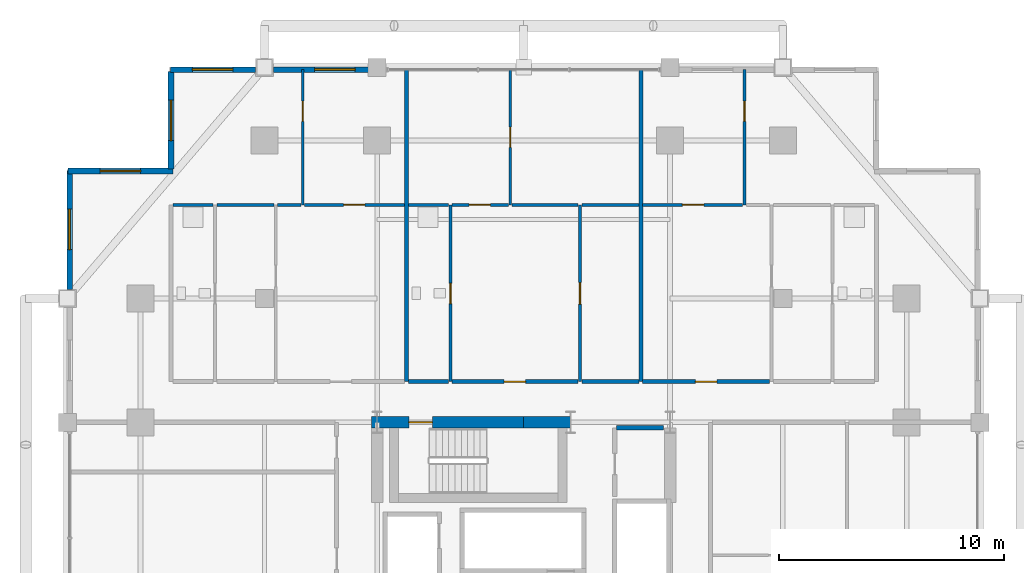
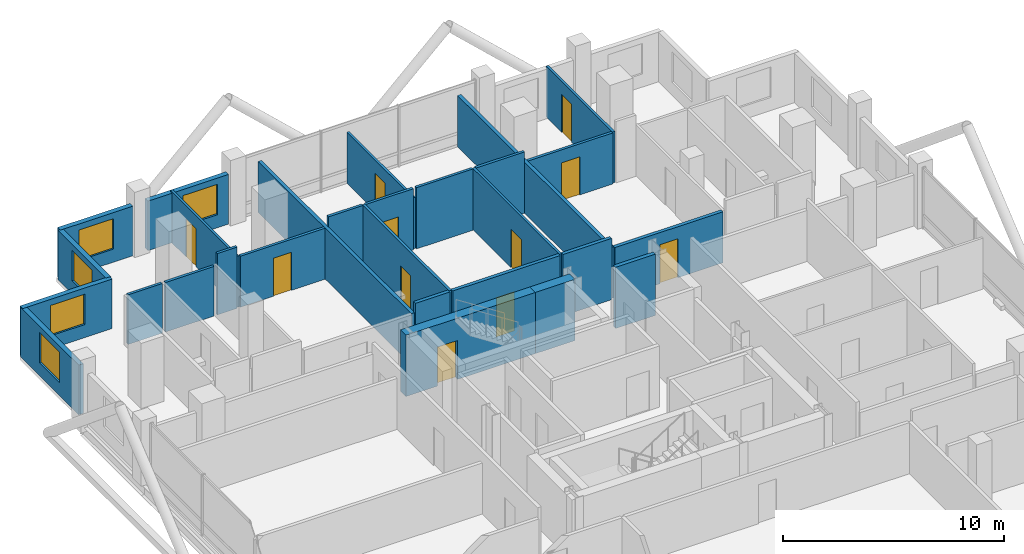
# One storey, part 21 of 24: 28 walls, 11 doors, 5 windows, 16 openings.
"""IFC4 building model written with IfcOpenShell, lengths in metres."""

from ifc_helpers import new_model, si_unit, direction, frame, frame_2d, origin, place, context, subcontext, project, spatial, rectangle, extrude, material, layer, layer_set, type_object, element, fill, save


model = new_model("IFC4")

# Units and contexts
model_context = context("Model", 3, precision=1e-05, world=origin(), true_north=direction((0.0, 1.0)))
body_context = subcontext(model_context, "Body", "Model", "MODEL_VIEW")
ifc_project = project(units=[si_unit("LENGTHUNIT", "METRE"), si_unit("AREAUNIT", "SQUARE_METRE"), si_unit("VOLUMEUNIT", "CUBIC_METRE"), si_unit("PLANEANGLEUNIT", "RADIAN"), si_unit("MASSUNIT", "GRAM", prefix="KILO")], contexts=[model_context])

# Site, building, storey
site_placement = place(None, origin())
site = spatial("IfcSite", under=ifc_project, at=site_placement, CompositionType="ELEMENT")
building_placement = place(site_placement, origin())
building = spatial("IfcBuilding", under=site, at=building_placement, Name="Barlavira Tower and Art Museum", CompositionType="ELEMENT")
storey_placement = place(building_placement, frame((0.0, 0.0, 109.800048828125)))
storey = spatial("IfcBuildingStorey", under=building, at=storey_placement, Name="L27", CompositionType="ELEMENT", Elevation=109.800048828125)

# Wall, opening, door
ifc_material_1 = material(Name="Gypsum acoustic stud partition", Category="gypsum")
ifc_layer_1 = layer(ifc_material_1, 0.1201171875, Name="Gypsum acoustic stud partition")
ifc_layer_set_1 = layer_set([ifc_layer_1], Name="Gypsum acoustic stud partition")
wall_type_1 = type_object("IfcWallType", Name="Apartment Internal Acoustic Partition 120", PredefinedType="PARTITIONING", material=ifc_layer_set_1)
wall_1_placement = place(storey_placement, frame((-9.800048828125, 17.14990234375, 0.0), z_axis=(0.0, 0.0, 1.0), x_axis=(0.0, 1.0, 0.0)))
wall_1 = element("IfcWall", 1, at=wall_1_placement, inside=storey, type_object=wall_type_1, Name="L27 Partition Wall 4", PredefinedType="PARTITIONING", context=body_context, shape_type="SweptSolid", body=[
    extrude(rectangle(XDim=6.0, YDim=0.1201171875, at=frame_2d((3.0, 0.0))), origin(), (0.0, 0.0, 1.0), 2.81591796875),
])
opening_1_placement = place(wall_1_placement, frame((3.701171875, 0.0, 0.0)))
opening_1 = element("IfcOpeningElement", 2, at=opening_1_placement, cuts=wall_1, Name="Opening D-01", PredefinedType="OPENING", context=body_context, shape_type="SweptSolid", body=[
    extrude(rectangle(XDim=0.89990234375, YDim=2.10009765625, at=frame_2d((0.449951171875, 1.050048828125))), frame((0.0, 0.070068359375, 0.0), z_axis=(0.0, -1.0, 0.0), x_axis=(1.0, 0.0, 0.0)), (0.0, 0.0, 1.0), 0.14013671875),
])
ifc_material_2 = material(Name="Engineered coastal hardwood", Category="wood")
door_type_1 = type_object("IfcDoorType", Name="Internal Bedroom Timber Flush Door 900x2100", OperationType="NOTDEFINED", PredefinedType="DOOR", material=ifc_material_2)
door_1_placement = place(opening_1_placement, origin())
door_1 = element("IfcDoor", 3, at=door_1_placement, inside=storey, type_object=door_type_1, Name="Apartment N1 Bedroom 1 Door", OperationType="SINGLE_SWING_LEFT", OverallHeight=2.10009765625, OverallWidth=0.89990234375, PredefinedType="DOOR", context=body_context, shape_type="SweptSolid", body=[
    extrude(rectangle(XDim=0.89990234375, YDim=2.10009765625, at=frame_2d((0.449951171875, 1.050048828125))), frame((0.0, 0.02490234375, 0.0), z_axis=(0.0, -1.0, 0.0), x_axis=(1.0, 0.0, 0.0)), (0.0, 0.0, 1.0), 0.050048828125),
])
fill(opening_1, door_1)

wall_2_placement = place(storey_placement, frame((-0.60009765625, 17.14990234375, 0.0), z_axis=(0.0, 0.0, 1.0), x_axis=(0.0, 1.0, 0.0)))
wall_2 = element("IfcWall", 4, at=wall_2_placement, inside=storey, type_object=wall_type_1, Name="L27 Partition Wall 9", PredefinedType="PARTITIONING", context=body_context, shape_type="SweptSolid", body=[
    extrude(rectangle(XDim=6.0, YDim=0.1201171875, at=frame_2d((3.0, 0.0))), origin(), (0.0, 0.0, 1.0), 2.81591796875),
])
opening_2_placement = place(wall_2_placement, frame((2.550048828125, 0.0, 0.0)))
opening_2 = element("IfcOpeningElement", 5, at=opening_2_placement, cuts=wall_2, Name="Opening D-01", PredefinedType="OPENING", context=body_context, shape_type="SweptSolid", body=[
    extrude(rectangle(XDim=0.89990234375, YDim=2.10009765625, at=frame_2d((0.449951171875, 1.050048828125))), frame((0.0, 0.070068359375, 0.0), z_axis=(0.0, -1.0, 0.0), x_axis=(1.0, 0.0, 0.0)), (0.0, 0.0, 1.0), 0.14013671875),
])
door_2_placement = place(opening_2_placement, origin())
door_2 = element("IfcDoor", 6, at=door_2_placement, inside=storey, type_object=door_type_1, Name="Apartment N2 Bedroom 1 Door", OperationType="SINGLE_SWING_RIGHT", OverallHeight=2.10009765625, OverallWidth=0.89990234375, PredefinedType="DOOR", context=body_context, shape_type="SweptSolid", body=[
    extrude(rectangle(XDim=0.89990234375, YDim=2.10009765625, at=frame_2d((0.449951171875, 1.050048828125))), frame((0.0, 0.02490234375, 0.0), z_axis=(0.0, -1.0, 0.0), x_axis=(1.0, 0.0, 0.0)), (0.0, 0.0, 1.0), 0.050048828125),
])
fill(opening_2, door_2)

wall_3_placement = place(storey_placement, frame((2.5, 9.300048828125, 0.0), z_axis=(0.0, 0.0, 1.0), x_axis=(0.0, 1.0, 0.0)))
wall_3 = element("IfcWall", 7, at=wall_3_placement, inside=storey, type_object=wall_type_1, Name="L27 Partition Wall 10", PredefinedType="PARTITIONING", context=body_context, shape_type="SweptSolid", body=[
    extrude(rectangle(XDim=7.849853515625, YDim=0.1201171875, at=frame_2d((3.9248046875, 0.0))), origin(), (0.0, 0.0, 1.0), 3.3798828125),
])
opening_3_placement = place(wall_3_placement, frame((3.445068359375, 0.0, 0.0)))
opening_3 = element("IfcOpeningElement", 8, at=opening_3_placement, cuts=wall_3, Name="Opening D-02", PredefinedType="OPENING", context=body_context, shape_type="SweptSolid", body=[
    extrude(rectangle(XDim=0.949951171875, YDim=2.10009765625, at=frame_2d((0.47509765625, 1.050048828125))), frame((0.0, 0.070068359375, 0.0), z_axis=(0.0, -1.0, 0.0), x_axis=(1.0, 0.0, 0.0)), (0.0, 0.0, 1.0), 0.14013671875),
])
door_type_2 = type_object("IfcDoorType", Name="Living and Salon Glazed-Leaf Door 950x2100", OperationType="NOTDEFINED", PredefinedType="DOOR", material=ifc_material_2)
door_3_placement = place(opening_3_placement, origin())
door_3 = element("IfcDoor", 9, at=door_3_placement, inside=storey, type_object=door_type_2, Name="Apartment N2 Kitchen Door", OperationType="SINGLE_SWING_RIGHT", OverallHeight=2.10009765625, OverallWidth=0.949951171875, PredefinedType="DOOR", context=body_context, shape_type="SweptSolid", body=[
    extrude(rectangle(XDim=0.949951171875, YDim=2.10009765625, at=frame_2d((0.47509765625, 1.050048828125))), frame((0.0, 0.02490234375, 0.0), z_axis=(0.0, -1.0, 0.0), x_axis=(1.0, 0.0, 0.0)), (0.0, 0.0, 1.0), 0.050048828125),
])
fill(opening_3, door_3)

wall_4_placement = place(storey_placement, frame((9.800048828125, 17.14990234375, 0.0), z_axis=(0.0, 0.0, 1.0), x_axis=(0.0, 1.0, 0.0)))
wall_4 = element("IfcWall", 10, at=wall_4_placement, inside=storey, type_object=wall_type_1, Name="L27 Partition Wall 14", PredefinedType="PARTITIONING", context=body_context, shape_type="SweptSolid", body=[
    extrude(rectangle(XDim=6.0, YDim=0.1201171875, at=frame_2d((3.0, 0.0))), origin(), (0.0, 0.0, 1.0), 2.81591796875),
])
opening_4_placement = place(wall_4_placement, frame((3.701171875, 0.0, 0.0)))
opening_4 = element("IfcOpeningElement", 11, at=opening_4_placement, cuts=wall_4, Name="Opening D-01", PredefinedType="OPENING", context=body_context, shape_type="SweptSolid", body=[
    extrude(rectangle(XDim=0.89990234375, YDim=2.10009765625, at=frame_2d((0.449951171875, 1.050048828125))), frame((0.0, 0.070068359375, 0.0), z_axis=(0.0, -1.0, 0.0), x_axis=(1.0, 0.0, 0.0)), (0.0, 0.0, 1.0), 0.14013671875),
])
door_4_placement = place(opening_4_placement, origin())
door_4 = element("IfcDoor", 12, at=door_4_placement, inside=storey, type_object=door_type_1, Name="Apartment N3 Bedroom 1 Door", OperationType="SINGLE_SWING_LEFT", OverallHeight=2.10009765625, OverallWidth=0.89990234375, PredefinedType="DOOR", context=body_context, shape_type="SweptSolid", body=[
    extrude(rectangle(XDim=0.89990234375, YDim=2.10009765625, at=frame_2d((0.449951171875, 1.050048828125))), frame((0.0, 0.02490234375, 0.0), z_axis=(0.0, -1.0, 0.0), x_axis=(1.0, 0.0, 0.0)), (0.0, 0.0, 1.0), 0.050048828125),
])
fill(opening_4, door_4)

ifc_material_3 = material(Name="Concrete C60", Category="concrete")
ifc_layer_2 = layer(ifc_material_3, 0.5, Name="Concrete C60")
ifc_layer_set_2 = layer_set([ifc_layer_2], Name="Concrete C60")
wall_type_2 = type_object("IfcWallType", Name="Core Structural Shear Wall 500 Concrete C60", PredefinedType="SHEAR", material=ifc_layer_set_2)
wall_5_placement = place(storey_placement, frame((-6.75, 7.5, 0.0), z_axis=(0.0, 0.0, 1.0), x_axis=(1.0, 0.0, 0.0)))
wall_5 = element("IfcWall", 13, at=wall_5_placement, inside=storey, type_object=wall_type_2, Name="L27 Core Shear Wall CS-NW", PredefinedType="SHEAR", context=body_context, shape_type="SweptSolid", body=[
    extrude(rectangle(XDim=6.75, YDim=0.5, at=frame_2d((3.375, 0.0))), origin(), (0.0, 0.0, 1.0), 3.3798828125),
])
opening_5_placement = place(wall_5_placement, frame((1.64990234375, 0.0, 0.0)))
opening_5 = element("IfcOpeningElement", 14, at=opening_5_placement, cuts=wall_5, Name="Opening FD-90", PredefinedType="OPENING", context=body_context, shape_type="SweptSolid", body=[
    extrude(rectangle(XDim=1.050048828125, YDim=2.14990234375, at=frame_2d((0.52490234375, 1.074951171875))), frame((0.0, 0.260009765625, 0.0), z_axis=(0.0, -1.0, 0.0), x_axis=(1.0, 0.0, 0.0)), (0.0, 0.0, 1.0), 0.52001953125),
])
ifc_material_4 = material(Name="Brushed stainless steel", Category="steel")
door_type_3 = type_object("IfcDoorType", Name="Stair and Refuge Fire Door 1050x2150 FD90S", OperationType="NOTDEFINED", PredefinedType="DOOR", material=ifc_material_4)
door_5_placement = place(opening_5_placement, origin())
door_5 = element("IfcDoor", 15, at=door_5_placement, inside=storey, type_object=door_type_3, Name="L27 Stair ST-T2 Fire Door", OperationType="SINGLE_SWING_LEFT", OverallHeight=2.14990234375, OverallWidth=1.050048828125, PredefinedType="DOOR", context=body_context, shape_type="SweptSolid", body=[
    extrude(rectangle(XDim=1.050048828125, YDim=2.14990234375, at=frame_2d((0.52490234375, 1.074951171875))), frame((0.0, 0.02490234375, 0.0), z_axis=(0.0, -1.0, 0.0), x_axis=(1.0, 0.0, 0.0)), (0.0, 0.0, 1.0), 0.050048828125),
])
fill(opening_5, door_5)

# Walls
wall_6_placement = place(storey_placement, frame((0.0, 7.5, 0.0), z_axis=(0.0, 0.0, 1.0), x_axis=(1.0, 0.0, 0.0)))
element("IfcWall", 16, at=wall_6_placement, inside=storey, type_object=wall_type_2, Name="L27 Core Shear Wall CS-EN", PredefinedType="SHEAR", context=body_context, shape_type="SweptSolid", body=[
    extrude(rectangle(XDim=2.080078125, YDim=0.5, at=frame_2d((1.0400390625, 0.0))), origin(), (0.0, 0.0, 1.0), 3.3798828125),
])
ifc_material_5 = material(Name="Autoclaved aerated concrete masonry", Category="masonry")
ifc_layer_3 = layer(ifc_material_5, 0.199951171875, Name="Autoclaved aerated concrete masonry")
ifc_layer_set_3 = layer_set([ifc_layer_3], Name="Autoclaved aerated concrete masonry")
wall_type_3 = type_object("IfcWallType", Name="Fire Compartment and Shaft Wall 200", PredefinedType="SOLIDWALL", material=ifc_layer_set_3)
wall_7_placement = place(storey_placement, frame((4.1298828125, 7.25, 0.0), z_axis=(0.0, 0.0, 1.0), x_axis=(1.0, 0.0, 0.0)))
element("IfcWall", 17, at=wall_7_placement, inside=storey, type_object=wall_type_3, Name="L27 Partition Wall 34", PredefinedType="SOLIDWALL", context=body_context, shape_type="SweptSolid", body=[
    extrude(rectangle(XDim=2.070068359375, YDim=0.199951171875, at=frame_2d((1.03515625, 0.0))), origin(), (0.0, 0.0, 1.0), 3.3798828125),
])
ifc_layer_4 = layer(ifc_material_1, 0.179931640625, Name="Gypsum acoustic stud partition")
ifc_layer_set_4 = layer_set([ifc_layer_4], Name="Gypsum acoustic stud partition")
wall_type_4 = type_object("IfcWallType", Name="Inter-Tenancy Party Partition Wall 180", PredefinedType="PARTITIONING", material=ifc_layer_set_4)
for number, where, z_axis, x_axis, name in (
    (18, (-5.199951171875, 9.300048828125, 0.0), (0.0, 0.0, 1.0), (0.0, 1.0, 0.0), "L27 Partition Wall 6"),
    (19, (5.199951171875, 9.300048828125, 0.0), (0.0, 0.0, 1.0), (0.0, 1.0, 0.0), "L27 Partition Wall 12"),
):
    element("IfcWall", number, at=place(storey_placement, frame(where, z_axis=z_axis, x_axis=x_axis)), inside=storey, type_object=wall_type_4, Name=name, PredefinedType="PARTITIONING", context=body_context, shape_type="SweptSolid", body=[
        extrude(rectangle(XDim=13.849853515625, YDim=0.179931640625, at=frame_2d((6.9248046875, 0.0))), origin(), (0.0, 0.0, 1.0), 2.81591796875),
    ])
wall_8_placement = place(storey_placement, frame((-5.1201171875, 9.300048828125, 0.0), z_axis=(0.0, 0.0, 1.0), x_axis=(1.0, 0.0, 0.0)))
element("IfcWall", 20, at=wall_8_placement, inside=storey, type_object=wall_type_4, Name="L27 Partition Wall 41", PredefinedType="PARTITIONING", context=body_context, shape_type="SweptSolid", body=[
    extrude(rectangle(XDim=1.7900390625, YDim=0.179931640625, at=frame_2d((0.89501953125, 0.0))), origin(), (0.0, 0.0, 1.0), 3.3798828125),
])

# Wall, opening, door
wall_9_placement = place(storey_placement, frame((-3.169921875, 9.300048828125, 0.0), z_axis=(0.0, 0.0, 1.0), x_axis=(1.0, 0.0, 0.0)))
wall_9 = element("IfcWall", 21, at=wall_9_placement, inside=storey, type_object=wall_type_4, Name="L27 Partition Wall 42", PredefinedType="PARTITIONING", context=body_context, shape_type="SweptSolid", body=[
    extrude(rectangle(XDim=5.58984375, YDim=0.179931640625, at=frame_2d((2.794921875, 0.0))), origin(), (0.0, 0.0, 1.0), 3.3798828125),
])
opening_6_placement = place(wall_9_placement, frame((2.304931640625, 0.0, 0.0)))
opening_6 = element("IfcOpeningElement", 22, at=opening_6_placement, cuts=wall_9, Name="Opening FD-60", PredefinedType="OPENING", context=body_context, shape_type="SweptSolid", body=[
    extrude(rectangle(XDim=0.949951171875, YDim=2.14990234375, at=frame_2d((0.47509765625, 1.074951171875))), frame((0.0, 0.10009765625, 0.0), z_axis=(0.0, -1.0, 0.0), x_axis=(1.0, 0.0, 0.0)), (0.0, 0.0, 1.0), 0.199951171875),
])
door_type_4 = type_object("IfcDoorType", Name="Apartment Entrance and Riser Fire Door 950x2150 FD60S", OperationType="NOTDEFINED", PredefinedType="DOOR", material=ifc_material_4)
door_6_placement = place(opening_6_placement, origin())
door_6 = element("IfcDoor", 23, at=door_6_placement, inside=storey, type_object=door_type_4, Name="Apartment Entrance Hall N2 Door", OperationType="SINGLE_SWING_LEFT", OverallHeight=2.14990234375, OverallWidth=0.949951171875, PredefinedType="DOOR", context=body_context, shape_type="SweptSolid", body=[
    extrude(rectangle(XDim=0.949951171875, YDim=2.14990234375, at=frame_2d((0.47509765625, 1.074951171875))), frame((0.0, 0.02490234375, 0.0), z_axis=(0.0, -1.0, 0.0), x_axis=(1.0, 0.0, 0.0)), (0.0, 0.0, 1.0), 0.050048828125),
])
fill(opening_6, door_6)

# Wall
wall_10_placement = place(storey_placement, frame((2.580078125, 9.300048828125, 0.0), z_axis=(0.0, 0.0, 1.0), x_axis=(1.0, 0.0, 0.0)))
element("IfcWall", 24, at=wall_10_placement, inside=storey, type_object=wall_type_4, Name="L27 Partition Wall 43", PredefinedType="PARTITIONING", context=body_context, shape_type="SweptSolid", body=[
    extrude(rectangle(XDim=2.5400390625, YDim=0.179931640625, at=frame_2d((1.27001953125, 0.0))), origin(), (0.0, 0.0, 1.0), 3.3798828125),
])

# Wall, opening, door
wall_11_placement = place(storey_placement, frame((5.280029296875, 9.300048828125, 0.0), z_axis=(0.0, 0.0, 1.0), x_axis=(1.0, 0.0, 0.0)))
wall_11 = element("IfcWall", 25, at=wall_11_placement, inside=storey, type_object=wall_type_4, Name="L27 Partition Wall 44", PredefinedType="PARTITIONING", context=body_context, shape_type="SweptSolid", body=[
    extrude(rectangle(XDim=5.639892578125, YDim=0.179931640625, at=frame_2d((2.81982421875, 0.0))), origin(), (0.0, 0.0, 1.0), 2.81591796875),
])
opening_7_placement = place(wall_11_placement, frame((2.344970703125, 0.0, 0.0)))
opening_7 = element("IfcOpeningElement", 26, at=opening_7_placement, cuts=wall_11, Name="Opening FD-60", PredefinedType="OPENING", context=body_context, shape_type="SweptSolid", body=[
    extrude(rectangle(XDim=0.949951171875, YDim=2.14990234375, at=frame_2d((0.47509765625, 1.074951171875))), frame((0.0, 0.10009765625, 0.0), z_axis=(0.0, -1.0, 0.0), x_axis=(1.0, 0.0, 0.0)), (0.0, 0.0, 1.0), 0.199951171875),
])
door_7_placement = place(opening_7_placement, origin())
door_7 = element("IfcDoor", 27, at=door_7_placement, inside=storey, type_object=door_type_4, Name="Apartment Entrance Hall N3 Door", OperationType="SINGLE_SWING_LEFT", OverallHeight=2.14990234375, OverallWidth=0.949951171875, PredefinedType="DOOR", context=body_context, shape_type="SweptSolid", body=[
    extrude(rectangle(XDim=0.949951171875, YDim=2.14990234375, at=frame_2d((0.47509765625, 1.074951171875))), frame((0.0, 0.02490234375, 0.0), z_axis=(0.0, -1.0, 0.0), x_axis=(1.0, 0.0, 0.0)), (0.0, 0.0, 1.0), 0.050048828125),
])
fill(opening_7, door_7)

ifc_layer_5 = layer(ifc_material_1, 0.139892578125, Name="Gypsum acoustic stud partition")
ifc_layer_set_5 = layer_set([ifc_layer_5], Name="Gypsum acoustic stud partition")
wall_type_5 = type_object("IfcWallType", Name="Moisture-Resistant Bathroom Partition 140", PredefinedType="PARTITIONING", material=ifc_layer_set_5)
wall_12_placement = place(storey_placement, frame((-3.25, 9.300048828125, 0.0), z_axis=(0.0, 0.0, 1.0), x_axis=(0.0, 1.0, 0.0)))
wall_12 = element("IfcWall", 28, at=wall_12_placement, inside=storey, type_object=wall_type_5, Name="L27 Partition Wall 8", PredefinedType="PARTITIONING", context=body_context, shape_type="SweptSolid", body=[
    extrude(rectangle(XDim=7.849853515625, YDim=0.139892578125, at=frame_2d((3.9248046875, 0.0))), origin(), (0.0, 0.0, 1.0), 3.3798828125),
])
opening_8_placement = place(wall_12_placement, frame((3.469970703125, 0.0, 0.0)))
opening_8 = element("IfcOpeningElement", 29, at=opening_8_placement, cuts=wall_12, Name="Opening D-WC", PredefinedType="OPENING", context=body_context, shape_type="SweptSolid", body=[
    extrude(rectangle(XDim=0.89990234375, YDim=2.10009765625, at=frame_2d((0.449951171875, 1.050048828125))), frame((0.0, 0.080078125, 0.0), z_axis=(0.0, -1.0, 0.0), x_axis=(1.0, 0.0, 0.0)), (0.0, 0.0, 1.0), 0.159912109375),
])
door_type_5 = type_object("IfcDoorType", Name="Accessible Bathroom Flush Door 900x2100", OperationType="NOTDEFINED", PredefinedType="DOOR", material=ifc_material_2)
door_8_placement = place(opening_8_placement, origin())
door_8 = element("IfcDoor", 30, at=door_8_placement, inside=storey, type_object=door_type_5, Name="Apartment N2 Hall Bathroom Door", OperationType="SINGLE_SWING_RIGHT", OverallHeight=2.10009765625, OverallWidth=0.89990234375, PredefinedType="DOOR", context=body_context, shape_type="SweptSolid", body=[
    extrude(rectangle(XDim=0.89990234375, YDim=2.10009765625, at=frame_2d((0.449951171875, 1.050048828125))), frame((0.0, 0.02490234375, 0.0), z_axis=(0.0, -1.0, 0.0), x_axis=(1.0, 0.0, 0.0)), (0.0, 0.0, 1.0), 0.050048828125),
])
fill(opening_8, door_8)

# Walls
wall_13_placement = place(storey_placement, frame((-15.570068359375, 17.14990234375, 0.0), z_axis=(0.0, 0.0, 1.0), x_axis=(1.0, 0.0, 0.0)))
element("IfcWall", 31, at=wall_13_placement, inside=storey, type_object=wall_type_5, Name="L27 Partition Wall 47", PredefinedType="PARTITIONING", context=body_context, shape_type="SweptSolid", body=[
    extrude(rectangle(XDim=1.7900390625, YDim=0.139892578125, at=frame_2d((0.89501953125, 0.0))), origin(), (0.0, 0.0, 1.0), 2.73583984375),
])
wall_14_placement = place(storey_placement, frame((-13.6201171875, 17.14990234375, 0.0), z_axis=(0.0, 0.0, 1.0), x_axis=(1.0, 0.0, 0.0)))
element("IfcWall", 32, at=wall_14_placement, inside=storey, type_object=wall_type_5, Name="L27 Partition Wall 48", PredefinedType="PARTITIONING", context=body_context, shape_type="SweptSolid", body=[
    extrude(rectangle(XDim=2.5400390625, YDim=0.139892578125, at=frame_2d((1.27001953125, 0.0))), origin(), (0.0, 0.0, 1.0), 2.73583984375),
])
wall_15_placement = place(storey_placement, frame((-10.919921875, 17.14990234375, 0.0), z_axis=(0.0, 0.0, 1.0), x_axis=(1.0, 0.0, 0.0)))
element("IfcWall", 33, at=wall_15_placement, inside=storey, type_object=wall_type_5, Name="L27 Partition Wall 49", PredefinedType="PARTITIONING", context=body_context, shape_type="SweptSolid", body=[
    extrude(rectangle(XDim=1.0400390625, YDim=0.139892578125, at=frame_2d((0.52001953125, 0.0))), origin(), (0.0, 0.0, 1.0), 3.3798828125),
])

# Wall, opening, door
wall_16_placement = place(storey_placement, frame((-9.719970703125, 17.14990234375, 0.0), z_axis=(0.0, 0.0, 1.0), x_axis=(1.0, 0.0, 0.0)))
wall_16 = element("IfcWall", 34, at=wall_16_placement, inside=storey, type_object=wall_type_5, Name="L27 Partition Wall 50", PredefinedType="PARTITIONING", context=body_context, shape_type="SweptSolid", body=[
    extrude(rectangle(XDim=4.43994140625, YDim=0.139892578125, at=frame_2d((2.219970703125, 0.0))), origin(), (0.0, 0.0, 1.0), 2.81591796875),
])
opening_9_placement = place(wall_16_placement, frame((1.72509765625, 0.0, 0.0)))
opening_9 = element("IfcOpeningElement", 35, at=opening_9_placement, cuts=wall_16, Name="Opening D-02", PredefinedType="OPENING", context=body_context, shape_type="SweptSolid", body=[
    extrude(rectangle(XDim=0.949951171875, YDim=2.10009765625, at=frame_2d((0.47509765625, 1.050048828125))), frame((0.0, 0.080078125, 0.0), z_axis=(0.0, -1.0, 0.0), x_axis=(1.0, 0.0, 0.0)), (0.0, 0.0, 1.0), 0.159912109375),
])
door_9_placement = place(opening_9_placement, origin())
door_9 = element("IfcDoor", 36, at=door_9_placement, inside=storey, type_object=door_type_2, Name="Apartment N1 Living Lounge Door", OperationType="SINGLE_SWING_RIGHT", OverallHeight=2.10009765625, OverallWidth=0.949951171875, PredefinedType="DOOR", context=body_context, shape_type="SweptSolid", body=[
    extrude(rectangle(XDim=0.949951171875, YDim=2.10009765625, at=frame_2d((0.47509765625, 1.050048828125))), frame((0.0, 0.02490234375, 0.0), z_axis=(0.0, -1.0, 0.0), x_axis=(1.0, 0.0, 0.0)), (0.0, 0.0, 1.0), 0.050048828125),
])
fill(opening_9, door_9)

# Wall
wall_17_placement = place(storey_placement, frame((-5.1201171875, 17.14990234375, 0.0), z_axis=(0.0, 0.0, 1.0), x_axis=(1.0, 0.0, 0.0)))
element("IfcWall", 37, at=wall_17_placement, inside=storey, type_object=wall_type_5, Name="L27 Partition Wall 51", PredefinedType="PARTITIONING", context=body_context, shape_type="SweptSolid", body=[
    extrude(rectangle(XDim=1.7900390625, YDim=0.139892578125, at=frame_2d((0.89501953125, 0.0))), origin(), (0.0, 0.0, 1.0), 3.3798828125),
])

# Wall, opening, door
wall_18_placement = place(storey_placement, frame((-3.169921875, 17.14990234375, 0.0), z_axis=(0.0, 0.0, 1.0), x_axis=(1.0, 0.0, 0.0)))
wall_18 = element("IfcWall", 38, at=wall_18_placement, inside=storey, type_object=wall_type_5, Name="L27 Partition Wall 52", PredefinedType="PARTITIONING", context=body_context, shape_type="SweptSolid", body=[
    extrude(rectangle(XDim=2.489990234375, YDim=0.139892578125, at=frame_2d((1.2451171875, 0.0))), origin(), (0.0, 0.0, 1.0), 3.3798828125),
])
opening_10_placement = place(wall_18_placement, frame((0.7451171875, 0.0, 0.0)))
opening_10 = element("IfcOpeningElement", 39, at=opening_10_placement, cuts=wall_18, Name="Opening D-02", PredefinedType="OPENING", context=body_context, shape_type="SweptSolid", body=[
    extrude(rectangle(XDim=0.949951171875, YDim=2.10009765625, at=frame_2d((0.47509765625, 1.050048828125))), frame((0.0, 0.080078125, 0.0), z_axis=(0.0, -1.0, 0.0), x_axis=(1.0, 0.0, 0.0)), (0.0, 0.0, 1.0), 0.159912109375),
])
door_10_placement = place(opening_10_placement, origin())
door_10 = element("IfcDoor", 40, at=door_10_placement, inside=storey, type_object=door_type_2, Name="Apartment N2 Living Lounge Door", OperationType="SINGLE_SWING_LEFT", OverallHeight=2.10009765625, OverallWidth=0.949951171875, PredefinedType="DOOR", context=body_context, shape_type="SweptSolid", body=[
    extrude(rectangle(XDim=0.949951171875, YDim=2.10009765625, at=frame_2d((0.47509765625, 1.050048828125))), frame((0.0, 0.02490234375, 0.0), z_axis=(0.0, -1.0, 0.0), x_axis=(1.0, 0.0, 0.0)), (0.0, 0.0, 1.0), 0.050048828125),
])
fill(opening_10, door_10)

# Walls
wall_19_placement = place(storey_placement, frame((-0.52001953125, 17.14990234375, 0.0), z_axis=(0.0, 0.0, 1.0), x_axis=(1.0, 0.0, 0.0)))
element("IfcWall", 41, at=wall_19_placement, inside=storey, type_object=wall_type_5, Name="L27 Partition Wall 53", PredefinedType="PARTITIONING", context=body_context, shape_type="SweptSolid", body=[
    extrude(rectangle(XDim=2.93994140625, YDim=0.139892578125, at=frame_2d((1.469970703125, 0.0))), origin(), (0.0, 0.0, 1.0), 3.3798828125),
])
wall_20_placement = place(storey_placement, frame((2.580078125, 17.14990234375, 0.0), z_axis=(0.0, 0.0, 1.0), x_axis=(1.0, 0.0, 0.0)))
element("IfcWall", 42, at=wall_20_placement, inside=storey, type_object=wall_type_5, Name="L27 Partition Wall 54", PredefinedType="PARTITIONING", context=body_context, shape_type="SweptSolid", body=[
    extrude(rectangle(XDim=2.5400390625, YDim=0.139892578125, at=frame_2d((1.27001953125, 0.0))), origin(), (0.0, 0.0, 1.0), 3.3798828125),
])

# Wall, opening, door
wall_21_placement = place(storey_placement, frame((5.280029296875, 17.14990234375, 0.0), z_axis=(0.0, 0.0, 1.0), x_axis=(1.0, 0.0, 0.0)))
wall_21 = element("IfcWall", 43, at=wall_21_placement, inside=storey, type_object=wall_type_5, Name="L27 Partition Wall 55", PredefinedType="PARTITIONING", context=body_context, shape_type="SweptSolid", body=[
    extrude(rectangle(XDim=4.43994140625, YDim=0.139892578125, at=frame_2d((2.219970703125, 0.0))), origin(), (0.0, 0.0, 1.0), 2.81591796875),
])
opening_11_placement = place(wall_21_placement, frame((1.764892578125, 0.0, 0.0)))
opening_11 = element("IfcOpeningElement", 44, at=opening_11_placement, cuts=wall_21, Name="Opening D-02", PredefinedType="OPENING", context=body_context, shape_type="SweptSolid", body=[
    extrude(rectangle(XDim=0.949951171875, YDim=2.10009765625, at=frame_2d((0.47509765625, 1.050048828125))), frame((0.0, 0.080078125, 0.0), z_axis=(0.0, -1.0, 0.0), x_axis=(1.0, 0.0, 0.0)), (0.0, 0.0, 1.0), 0.159912109375),
])
door_11_placement = place(opening_11_placement, origin())
door_11 = element("IfcDoor", 45, at=door_11_placement, inside=storey, type_object=door_type_2, Name="Apartment N3 Living Lounge Door", OperationType="SINGLE_SWING_RIGHT", OverallHeight=2.10009765625, OverallWidth=0.949951171875, PredefinedType="DOOR", context=body_context, shape_type="SweptSolid", body=[
    extrude(rectangle(XDim=0.949951171875, YDim=2.10009765625, at=frame_2d((0.47509765625, 1.050048828125))), frame((0.0, 0.02490234375, 0.0), z_axis=(0.0, -1.0, 0.0), x_axis=(1.0, 0.0, 0.0)), (0.0, 0.0, 1.0), 0.050048828125),
])
fill(opening_11, door_11)

# Wall, opening, window
ifc_material_6 = material(Name="Precast concrete C40", Category="concrete")
ifc_layer_6 = layer(ifc_material_6, 0.25, Name="Precast concrete C40")
ifc_layer_set_6 = layer_set([ifc_layer_6], Name="Precast concrete C40")
wall_type_6 = type_object("IfcWallType", Name="Notched Corner Spandrel Wall 250 Precast Concrete C40", PredefinedType="SOLIDWALL", material=ifc_layer_set_6)
wall_22_placement = place(storey_placement, frame((-6.89501953125, 23.14990234375, 0.0), z_axis=(0.0, 0.0, 1.0), x_axis=(-1.0, 0.0, 0.0)))
wall_22 = element("IfcWall", 46, at=wall_22_placement, inside=storey, type_object=wall_type_6, Name="L27 Coastal Facade Pier Wall CW2-L27-N-4", PredefinedType="SOLIDWALL", context=body_context, shape_type="SweptSolid", body=[
    extrude(rectangle(XDim=4.2099609375, YDim=0.25, at=frame_2d((2.10498046875, 0.0))), origin(), (0.0, 0.0, 1.0), 2.73583984375),
])
opening_12_placement = place(wall_22_placement, frame((0.5849609375, 0.0, 0.719970703125)))
opening_12 = element("IfcOpeningElement", 47, at=opening_12_placement, cuts=wall_22, Name="Opening WN-01", PredefinedType="OPENING", context=body_context, shape_type="SweptSolid", body=[
    extrude(rectangle(XDim=1.800048828125, YDim=1.679931640625, at=frame_2d((0.89990234375, 0.83984375))), frame((0.0, 0.135009765625, 0.0), z_axis=(0.0, -1.0, 0.0), x_axis=(1.0, 0.0, 0.0)), (0.0, 0.0, 1.0), 0.27001953125),
])
ifc_material_7 = material(Name="Low-iron coastal laminated glass", Category="glass")
window_type = type_object("IfcWindowType", Name="Recessed Notch Corner Punch Window 1800x1680", PartitioningType="SINGLE_PANEL", PredefinedType="WINDOW", material=ifc_material_7)
window_1_placement = place(opening_12_placement, origin())
window_1 = element("IfcWindow", 48, at=window_1_placement, inside=storey, type_object=window_type, Name="L27 Punched Facade Window EWP-CW2-L27-N-4-1", OverallHeight=1.679931640625, OverallWidth=1.800048828125, PartitioningType="SINGLE_PANEL", PredefinedType="WINDOW", context=body_context, shape_type="SweptSolid", body=[
    extrude(rectangle(XDim=1.800048828125, YDim=1.679931640625, at=frame_2d((0.89990234375, 0.83984375))), frame((0.0, 0.030029296875, 0.0), z_axis=(0.0, -1.0, 0.0), x_axis=(1.0, 0.0, 0.0)), (0.0, 0.0, 1.0), 0.06005859375),
])
fill(opening_12, window_1)

wall_23_placement = place(storey_placement, frame((-11.89501953125, 23.14990234375, 0.0), z_axis=(0.0, 0.0, 1.0), x_axis=(-1.0, 0.0, 0.0)))
wall_23 = element("IfcWall", 49, at=wall_23_placement, inside=storey, type_object=wall_type_6, Name="L27 Coastal Facade Pier Wall CW2-L27-N-5", PredefinedType="SOLIDWALL", context=body_context, shape_type="SweptSolid", body=[
    extrude(rectangle(XDim=3.780029296875, YDim=0.25, at=frame_2d((1.89013671875, 0.0))), origin(), (0.0, 0.0, 1.0), 2.73583984375),
])
opening_13_placement = place(wall_23_placement, frame((1.012939453125, 0.0, 0.719970703125)))
opening_13 = element("IfcOpeningElement", 50, at=opening_13_placement, cuts=wall_23, Name="Opening WN-01", PredefinedType="OPENING", context=body_context, shape_type="SweptSolid", body=[
    extrude(rectangle(XDim=1.800048828125, YDim=1.679931640625, at=frame_2d((0.89990234375, 0.83984375))), frame((0.0, 0.135009765625, 0.0), z_axis=(0.0, -1.0, 0.0), x_axis=(1.0, 0.0, 0.0)), (0.0, 0.0, 1.0), 0.27001953125),
])
window_2_placement = place(opening_13_placement, origin())
window_2 = element("IfcWindow", 51, at=window_2_placement, inside=storey, type_object=window_type, Name="L27 Punched Facade Window EWP-CW2-L27-N-5-1", OverallHeight=1.679931640625, OverallWidth=1.800048828125, PartitioningType="SINGLE_PANEL", PredefinedType="WINDOW", context=body_context, shape_type="SweptSolid", body=[
    extrude(rectangle(XDim=1.800048828125, YDim=1.679931640625, at=frame_2d((0.89990234375, 0.83984375))), frame((0.0, 0.030029296875, 0.0), z_axis=(0.0, -1.0, 0.0), x_axis=(1.0, 0.0, 0.0)), (0.0, 0.0, 1.0), 0.06005859375),
])
fill(opening_13, window_2)

wall_24_placement = place(storey_placement, frame((-20.14990234375, 18.675048828125, 0.0), z_axis=(0.0, 0.0, 1.0), x_axis=(0.0, -1.0, 0.0)))
wall_24 = element("IfcWall", 52, at=wall_24_placement, inside=storey, type_object=wall_type_6, Name="L27 Coastal Facade Pier Wall CW2-L27-W-1", PredefinedType="SOLIDWALL", context=body_context, shape_type="SweptSolid", body=[
    extrude(rectangle(XDim=5.280029296875, YDim=0.25, at=frame_2d((2.64013671875, 0.0))), origin(), (0.0, 0.0, 1.0), 2.73583984375),
])
opening_14_placement = place(wall_24_placement, frame((1.718017578125, 0.0, 0.719970703125)))
opening_14 = element("IfcOpeningElement", 53, at=opening_14_placement, cuts=wall_24, Name="Opening WN-01", PredefinedType="OPENING", context=body_context, shape_type="SweptSolid", body=[
    extrude(rectangle(XDim=1.800048828125, YDim=1.679931640625, at=frame_2d((0.89990234375, 0.83984375))), frame((0.0, 0.135009765625, 0.0), z_axis=(0.0, -1.0, 0.0), x_axis=(1.0, 0.0, 0.0)), (0.0, 0.0, 1.0), 0.27001953125),
])
window_3_placement = place(opening_14_placement, origin())
window_3 = element("IfcWindow", 54, at=window_3_placement, inside=storey, type_object=window_type, Name="L27 Punched Facade Window EWP-CW2-L27-W-1-1", OverallHeight=1.679931640625, OverallWidth=1.800048828125, PartitioningType="SINGLE_PANEL", PredefinedType="WINDOW", context=body_context, shape_type="SweptSolid", body=[
    extrude(rectangle(XDim=1.800048828125, YDim=1.679931640625, at=frame_2d((0.89990234375, 0.83984375))), frame((0.0, 0.030029296875, 0.0), z_axis=(0.0, -1.0, 0.0), x_axis=(1.0, 0.0, 0.0)), (0.0, 0.0, 1.0), 0.06005859375),
])
fill(opening_14, window_3)

wall_25_placement = place(storey_placement, frame((-15.64990234375, 23.070068359375, 0.0), z_axis=(0.0, 0.0, 1.0), x_axis=(0.0, -1.0, 0.0)))
wall_25 = element("IfcWall", 55, at=wall_25_placement, inside=storey, type_object=wall_type_6, Name="L27 Notch Corner Wall NW1", PredefinedType="SOLIDWALL", context=body_context, shape_type="SweptSolid", body=[
    extrude(rectangle(XDim=4.340087890625, YDim=0.25, at=frame_2d((2.169921875, 0.0))), origin(), (0.0, 0.0, 1.0), 2.73583984375),
])
opening_15_placement = place(wall_25_placement, frame((1.27001953125, 0.0, 0.719970703125)))
opening_15 = element("IfcOpeningElement", 56, at=opening_15_placement, cuts=wall_25, Name="Opening WN-01", PredefinedType="OPENING", context=body_context, shape_type="SweptSolid", body=[
    extrude(rectangle(XDim=1.800048828125, YDim=1.679931640625, at=frame_2d((0.89990234375, 0.83984375))), frame((0.0, 0.135009765625, 0.0), z_axis=(0.0, -1.0, 0.0), x_axis=(1.0, 0.0, 0.0)), (0.0, 0.0, 1.0), 0.27001953125),
])
window_4_placement = place(opening_15_placement, origin())
window_4 = element("IfcWindow", 57, at=window_4_placement, inside=storey, type_object=window_type, Name="L27 Punched Facade Window EW-NTC-L27-NW1-1", OverallHeight=1.679931640625, OverallWidth=1.800048828125, PartitioningType="SINGLE_PANEL", PredefinedType="WINDOW", context=body_context, shape_type="SweptSolid", body=[
    extrude(rectangle(XDim=1.800048828125, YDim=1.679931640625, at=frame_2d((0.89990234375, 0.83984375))), frame((0.0, 0.030029296875, 0.0), z_axis=(0.0, -1.0, 0.0), x_axis=(1.0, 0.0, 0.0)), (0.0, 0.0, 1.0), 0.06005859375),
])
fill(opening_15, window_4)

wall_26_placement = place(storey_placement, frame((-15.570068359375, 18.64990234375, 0.0), z_axis=(0.0, 0.0, 1.0), x_axis=(-1.0, 0.0, 0.0)))
wall_26 = element("IfcWall", 58, at=wall_26_placement, inside=storey, type_object=wall_type_6, Name="L27 Notch Corner Wall NW2", PredefinedType="SOLIDWALL", context=body_context, shape_type="SweptSolid", body=[
    extrude(rectangle(XDim=4.659912109375, YDim=0.25, at=frame_2d((2.330078125, 0.0))), origin(), (0.0, 0.0, 1.0), 2.73583984375),
])
opening_16_placement = place(wall_26_placement, frame((1.429931640625, 0.0, 0.719970703125)))
opening_16 = element("IfcOpeningElement", 59, at=opening_16_placement, cuts=wall_26, Name="Opening WN-01", PredefinedType="OPENING", context=body_context, shape_type="SweptSolid", body=[
    extrude(rectangle(XDim=1.800048828125, YDim=1.679931640625, at=frame_2d((0.89990234375, 0.83984375))), frame((0.0, 0.135009765625, 0.0), z_axis=(0.0, -1.0, 0.0), x_axis=(1.0, 0.0, 0.0)), (0.0, 0.0, 1.0), 0.27001953125),
])
window_5_placement = place(opening_16_placement, origin())
window_5 = element("IfcWindow", 60, at=window_5_placement, inside=storey, type_object=window_type, Name="L27 Punched Facade Window EW-NTC-L27-NW2-1", OverallHeight=1.679931640625, OverallWidth=1.800048828125, PartitioningType="SINGLE_PANEL", PredefinedType="WINDOW", context=body_context, shape_type="SweptSolid", body=[
    extrude(rectangle(XDim=1.800048828125, YDim=1.679931640625, at=frame_2d((0.89990234375, 0.83984375))), frame((0.0, 0.030029296875, 0.0), z_axis=(0.0, -1.0, 0.0), x_axis=(1.0, 0.0, 0.0)), (0.0, 0.0, 1.0), 0.06005859375),
])
fill(opening_16, window_5)

save(model, "model.ifc")
